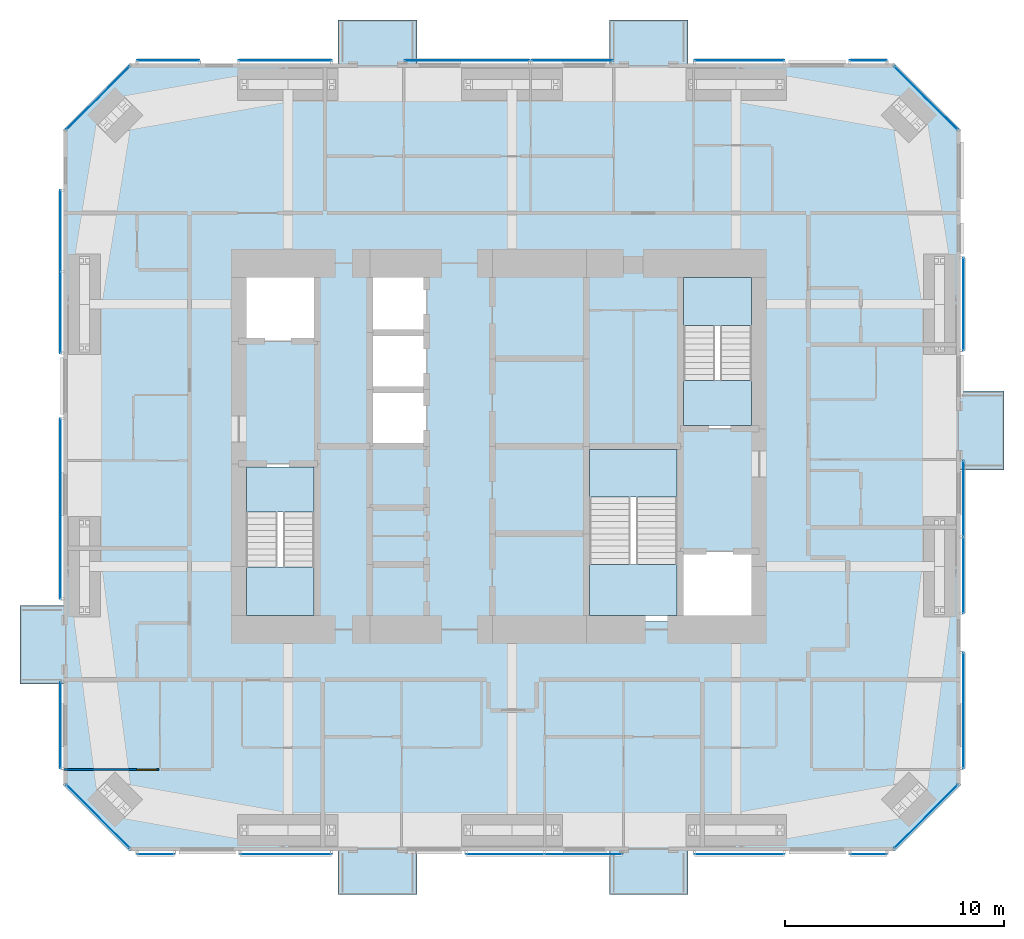
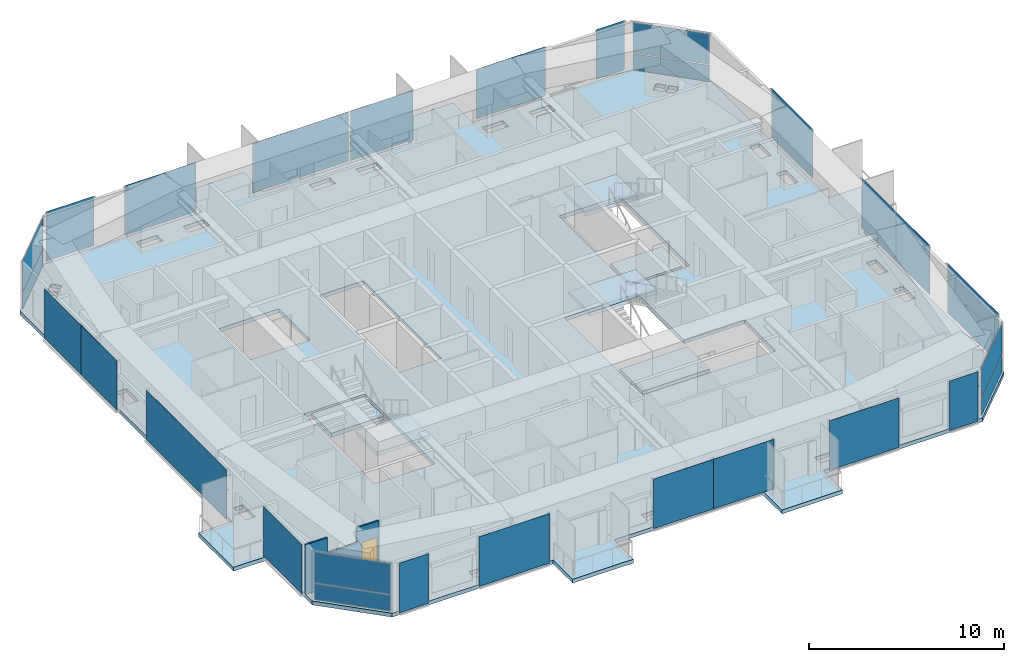
# One storey, part 14 of 22: 28 plates, 7 slabs, 1 door, 1 wall, 1 opening, 24 elements without a shape of their own.
"""IFC4 building model written with IfcOpenShell, lengths in metres."""

from ifc_helpers import new_model, si_unit, direction, frame, frame_2d, origin, origin_2d, place, context, subcontext, project, spatial, polyline, rectangle, outline, extrude, material, layer, layer_set, constituent, constituent_set, type_object, element, fill, aggregate, save


model = new_model("IFC4")

# Units and contexts
model_context = context("Model", 3, precision=1e-05, world=origin(), true_north=direction((0.0, 1.0)))
body_context = subcontext(model_context, "Body", "Model", "MODEL_VIEW")
ifc_project = project(units=[si_unit("LENGTHUNIT", "METRE"), si_unit("AREAUNIT", "SQUARE_METRE"), si_unit("VOLUMEUNIT", "CUBIC_METRE"), si_unit("PLANEANGLEUNIT", "RADIAN"), si_unit("MASSUNIT", "GRAM", prefix="KILO")], contexts=[model_context])

# Site, building, storey
site_placement = place(None, origin())
site = spatial("IfcSite", under=ifc_project, at=site_placement, CompositionType="ELEMENT")
building_placement = place(site_placement, origin())
building = spatial("IfcBuilding", under=site, at=building_placement, Name="Jalousie Tower", CompositionType="ELEMENT")
storey_placement = place(building_placement, frame((0.0, 0.0, 177.800048828125)))
storey = spatial("IfcBuildingStorey", under=building, at=storey_placement, Name="L48", CompositionType="ELEMENT", Elevation=177.800048828125)

# Curtain wall, plates
ifc_material_1 = material(Name="Aluminium curtain wall", Category="aluminium")
curtain_wall_type_1 = type_object("IfcCurtainWallType", Name="CORNER WINDOW WALL", PredefinedType="USERDEFINED", material=ifc_material_1)
curtain_wall_1_placement = place(storey_placement, origin())
curtain_wall_1 = element("IfcCurtainWall", 1, at=curtain_wall_1_placement, inside=storey, type_object=curtain_wall_type_1, Name="Corner Window Wall L48 2", ObjectType="CORNER WINDOW WALL", PredefinedType="USERDEFINED")
ifc_material_2 = material(Name="Laminated impact-rated spandrel glass", Category="glass")
ifc_layer_1 = layer(ifc_material_2, 0.028076171875)
ifc_layer_set_1 = layer_set([ifc_layer_1], Name="Laminated impact-rated spandrel glass")
plate_type_1 = type_object("IfcPlateType", Name="CORNER WINDOW WALL PANEL", PredefinedType="CURTAIN_PANEL", material=ifc_layer_set_1)
plate_1_placement = place(storey_placement, frame((51.4306640625, 1.5693359375, 0.06005859375), z_axis=(0.0, 0.0, 1.0), x_axis=(0.707106781187, 0.707106781187, 0.0)))
plate_1 = element("IfcPlate", 2, at=plate_1_placement, type_object=plate_type_1, Name="CW-C panel 1.1", PredefinedType="CURTAIN_PANEL", context=body_context, shape_type="SweptSolid", body=[
    extrude(rectangle(XDim=4.071533203125, YDim=0.028076171875, at=origin_2d()), origin(), (0.0, 0.0, 1.0), 1.010009765625),
])
plate_2_placement = place(storey_placement, frame((51.4306640625, 1.5693359375, 1.1298828125), z_axis=(0.0, 0.0, 1.0), x_axis=(0.707106781187, 0.707106781187, 0.0)))
plate_2 = element("IfcPlate", 3, at=plate_2_placement, type_object=plate_type_1, Name="CW-C panel 1.2", PredefinedType="CURTAIN_PANEL", context=body_context, shape_type="SweptSolid", body=[
    extrude(rectangle(XDim=4.071533203125, YDim=0.028076171875, at=origin_2d()), origin(), (0.0, 0.0, 1.0), 1.919921875),
])
aggregate(curtain_wall_1, [plate_1, plate_2])

curtain_wall_2_placement = place(storey_placement, origin())
curtain_wall_2 = element("IfcCurtainWall", 4, at=curtain_wall_2_placement, inside=storey, type_object=curtain_wall_type_1, Name="Corner Window Wall L48 4", ObjectType="CORNER WINDOW WALL", PredefinedType="USERDEFINED")
plate_3_placement = place(storey_placement, frame((51.4306640625, 34.4306640625, 0.06005859375), z_axis=(0.0, 0.0, 1.0), x_axis=(-0.707106781187, 0.707106781187, 0.0)))
plate_3 = element("IfcPlate", 5, at=plate_3_placement, type_object=plate_type_1, Name="CW-C panel 1.1", PredefinedType="CURTAIN_PANEL", context=body_context, shape_type="SweptSolid", body=[
    extrude(rectangle(XDim=4.071533203125, YDim=0.028076171875, at=origin_2d()), origin(), (0.0, 0.0, 1.0), 1.010009765625),
])
plate_4_placement = place(storey_placement, frame((51.4306640625, 34.4306640625, 1.1298828125), z_axis=(0.0, 0.0, 1.0), x_axis=(-0.707106781187, 0.707106781187, 0.0)))
plate_4 = element("IfcPlate", 6, at=plate_4_placement, type_object=plate_type_1, Name="CW-C panel 1.2", PredefinedType="CURTAIN_PANEL", context=body_context, shape_type="SweptSolid", body=[
    extrude(rectangle(XDim=4.071533203125, YDim=0.028076171875, at=origin_2d()), origin(), (0.0, 0.0, 1.0), 1.919921875),
])
aggregate(curtain_wall_2, [plate_3, plate_4])

curtain_wall_3_placement = place(storey_placement, origin())
curtain_wall_3 = element("IfcCurtainWall", 7, at=curtain_wall_3_placement, inside=storey, type_object=curtain_wall_type_1, Name="Corner Window Wall L48 6", ObjectType="CORNER WINDOW WALL", PredefinedType="USERDEFINED")
plate_5_placement = place(storey_placement, frame((13.5693359375, 34.4306640625, 0.06005859375), z_axis=(0.0, 0.0, 1.0), x_axis=(-0.707106781187, -0.707106781187, 0.0)))
plate_5 = element("IfcPlate", 8, at=plate_5_placement, type_object=plate_type_1, Name="CW-C panel 1.1", PredefinedType="CURTAIN_PANEL", context=body_context, shape_type="SweptSolid", body=[
    extrude(rectangle(XDim=4.071533203125, YDim=0.028076171875, at=origin_2d()), origin(), (0.0, 0.0, 1.0), 1.010009765625),
])
plate_6_placement = place(storey_placement, frame((13.5693359375, 34.4306640625, 1.1298828125), z_axis=(0.0, 0.0, 1.0), x_axis=(-0.707106781187, -0.707106781187, 0.0)))
plate_6 = element("IfcPlate", 9, at=plate_6_placement, type_object=plate_type_1, Name="CW-C panel 1.2", PredefinedType="CURTAIN_PANEL", context=body_context, shape_type="SweptSolid", body=[
    extrude(rectangle(XDim=4.071533203125, YDim=0.028076171875, at=origin_2d()), origin(), (0.0, 0.0, 1.0), 1.919921875),
])
aggregate(curtain_wall_3, [plate_5, plate_6])

curtain_wall_4_placement = place(storey_placement, origin())
curtain_wall_4 = element("IfcCurtainWall", 10, at=curtain_wall_4_placement, inside=storey, type_object=curtain_wall_type_1, Name="Corner Window Wall L48 8", ObjectType="CORNER WINDOW WALL", PredefinedType="USERDEFINED")
plate_7_placement = place(storey_placement, frame((13.5693359375, 1.5693359375, 0.06005859375), z_axis=(0.0, 0.0, 1.0), x_axis=(0.707106781187, -0.707106781187, 0.0)))
plate_7 = element("IfcPlate", 11, at=plate_7_placement, type_object=plate_type_1, Name="CW-C panel 1.1", PredefinedType="CURTAIN_PANEL", context=body_context, shape_type="SweptSolid", body=[
    extrude(rectangle(XDim=4.071533203125, YDim=0.028076171875, at=origin_2d()), origin(), (0.0, 0.0, 1.0), 1.010009765625),
])
plate_8_placement = place(storey_placement, frame((13.5693359375, 1.5693359375, 1.1298828125), z_axis=(0.0, 0.0, 1.0), x_axis=(0.707106781187, -0.707106781187, 0.0)))
plate_8 = element("IfcPlate", 12, at=plate_8_placement, type_object=plate_type_1, Name="CW-C panel 1.2", PredefinedType="CURTAIN_PANEL", context=body_context, shape_type="SweptSolid", body=[
    extrude(rectangle(XDim=4.071533203125, YDim=0.028076171875, at=origin_2d()), origin(), (0.0, 0.0, 1.0), 1.919921875),
])
aggregate(curtain_wall_4, [plate_7, plate_8])

# Slab
ifc_material_3 = material(Name="Concrete f'c 40 MPa", Category="concrete")
ifc_layer_2 = layer(ifc_material_3, 0.239990234375)
ifc_layer_set_2 = layer_set([ifc_layer_2], Name="Concrete f'c 40 MPa")
slab_type_1 = type_object("IfcSlabType", Name="FLOOR SLAB 240", PredefinedType="FLOOR", material=ifc_layer_set_2)
slab_1_placement = place(storey_placement, frame((0.0, 0.0, -0.239990234375)))
element("IfcSlab", 13, at=slab_1_placement, inside=storey, type_object=slab_type_1, Name="L48 floor slab", PredefinedType="FLOOR", context=body_context, shape_type="SweptSolid", body=[
    extrude(outline(polyline([(40.550048828125, 38.0), (40.550048828125, 36.0), (50.0, 36.0), (53.0, 33.0), (53.0, 21.02490234375), (55.0, 21.02490234375), (55.0, 17.425048828125), (53.0, 17.425048828125), (53.0, 3.0), (50.0, 0.0), (40.550048828125, 0.0), (40.550048828125, -2.0), (36.949951171875, -2.0), (36.949951171875, 0.0), (28.14990234375, 0.0), (28.14990234375, -2.0), (24.550048828125, -2.0), (24.550048828125, 0.0), (15.0, 0.0), (12.0, 3.0), (12.0, 7.625), (10.0, 7.625), (10.0, 11.22509765625), (12.0, 11.22509765625), (12.0, 33.0), (15.0, 36.0), (24.550048828125, 36.0), (24.550048828125, 38.0), (28.14990234375, 38.0), (28.14990234375, 36.0), (36.949951171875, 36.0), (36.949951171875, 38.0), (40.550048828125, 38.0)]), holes=[polyline([(51.763916015625, 27.0), (51.763916015625, 25.77294921875), (52.336181640625, 25.77294921875), (52.336181640625, 27.0), (51.763916015625, 27.0)]), polyline([(52.336181640625, 24.22705078125), (51.763916015625, 24.22705078125), (51.763916015625, 23.0), (52.336181640625, 23.0), (52.336181640625, 24.22705078125)]), polyline([(52.336181640625, 15.0), (51.763916015625, 15.0), (51.763916015625, 13.77294921875), (52.336181640625, 13.77294921875), (52.336181640625, 15.0)]), polyline([(52.336181640625, 12.22705078125), (51.763916015625, 12.22705078125), (51.763916015625, 11.0), (52.336181640625, 11.0), (52.336181640625, 12.22705078125)]), polyline([(50.873291015625, 33.02490234375), (51.278076171875, 33.4296875), (50.89599609375, 33.811767578125), (50.4912109375, 33.406982421875), (50.873291015625, 33.02490234375)]), polyline([(50.89599609375, 2.188232421875), (51.278076171875, 2.5703125), (50.873291015625, 2.97509765625), (50.4912109375, 2.593017578125), (50.89599609375, 2.188232421875)]), polyline([(50.02490234375, 2.126708984375), (50.4296875, 1.721923828125), (50.811767578125, 2.10400390625), (50.406982421875, 2.5087890625), (50.02490234375, 2.126708984375)]), polyline([(50.4296875, 34.278076171875), (50.02490234375, 33.873291015625), (50.406982421875, 33.4912109375), (50.811767578125, 33.89599609375), (50.4296875, 34.278076171875)]), polyline([(43.52294921875, 34.763916015625), (44.75, 34.763916015625), (44.75, 35.336181640625), (43.52294921875, 35.336181640625), (43.52294921875, 34.763916015625)]), polyline([(43.52294921875, 0.663818359375), (44.75, 0.663818359375), (44.75, 1.236083984375), (43.52294921875, 1.236083984375), (43.52294921875, 0.663818359375)]), polyline([(43.800048828125, 26.5), (40.199951171875, 26.5), (40.199951171875, 19.300048828125), (43.800048828125, 19.300048828125), (43.800048828125, 26.5)]), polyline([(43.800048828125, 10.5), (43.800048828125, 13.699951171875), (40.199951171875, 13.699951171875), (40.199951171875, 18.5), (35.89990234375, 18.5), (35.89990234375, 10.5), (43.800048828125, 10.5)]), polyline([(40.75, 35.336181640625), (40.75, 34.763916015625), (41.97705078125, 34.763916015625), (41.97705078125, 35.336181640625), (40.75, 35.336181640625)]), polyline([(41.97705078125, 1.236083984375), (40.75, 1.236083984375), (40.75, 0.663818359375), (41.97705078125, 0.663818359375), (41.97705078125, 1.236083984375)]), polyline([(34.5, 0.663818359375), (34.5, 1.236083984375), (33.27294921875, 1.236083984375), (33.27294921875, 0.663818359375), (34.5, 0.663818359375)]), polyline([(34.5, 34.763916015625), (34.5, 35.336181640625), (33.27294921875, 35.336181640625), (33.27294921875, 34.763916015625), (34.5, 34.763916015625)]), polyline([(30.5, 35.336181640625), (30.5, 34.763916015625), (31.72705078125, 34.763916015625), (31.72705078125, 35.336181640625), (30.5, 35.336181640625)]), polyline([(30.5, 1.236083984375), (30.5, 0.663818359375), (31.72705078125, 0.663818359375), (31.72705078125, 1.236083984375), (30.5, 1.236083984375)]), polyline([(26.0, 26.5), (26.0, 18.5), (28.60009765625, 18.5), (28.60009765625, 26.5), (26.0, 26.5)]), polyline([(23.02294921875, 35.336181640625), (23.02294921875, 34.763916015625), (24.25, 34.763916015625), (24.25, 35.336181640625), (23.02294921875, 35.336181640625)]), polyline([(24.25, 0.663818359375), (24.25, 1.236083984375), (23.02294921875, 1.236083984375), (23.02294921875, 0.663818359375), (24.25, 0.663818359375)]), polyline([(23.60009765625, 26.5), (20.0, 26.5), (20.0, 23.300048828125), (23.60009765625, 23.300048828125), (23.60009765625, 26.5)]), polyline([(23.60009765625, 17.699951171875), (20.0, 17.699951171875), (20.0, 10.5), (23.60009765625, 10.5), (23.60009765625, 17.699951171875)]), polyline([(21.47705078125, 34.763916015625), (21.47705078125, 35.336181640625), (20.25, 35.336181640625), (20.25, 34.763916015625), (21.47705078125, 34.763916015625)]), polyline([(21.47705078125, 0.663818359375), (21.47705078125, 1.236083984375), (20.25, 1.236083984375), (20.25, 0.663818359375), (21.47705078125, 0.663818359375)]), polyline([(14.593017578125, 2.5087890625), (14.188232421875, 2.10400390625), (14.5703125, 1.721923828125), (14.97509765625, 2.126708984375), (14.593017578125, 2.5087890625)]), polyline([(14.97509765625, 33.873291015625), (14.5703125, 34.278076171875), (14.188232421875, 33.89599609375), (14.593017578125, 33.4912109375), (14.97509765625, 33.873291015625)]), polyline([(13.721923828125, 2.5703125), (14.10400390625, 2.188232421875), (14.5087890625, 2.593017578125), (14.126708984375, 2.97509765625), (13.721923828125, 2.5703125)]), polyline([(14.126708984375, 33.02490234375), (14.5087890625, 33.406982421875), (14.10400390625, 33.811767578125), (13.721923828125, 33.4296875), (14.126708984375, 33.02490234375)]), polyline([(12.663818359375, 23.0), (13.236083984375, 23.0), (13.236083984375, 24.22705078125), (12.663818359375, 24.22705078125), (12.663818359375, 23.0)]), polyline([(13.236083984375, 27.0), (12.663818359375, 27.0), (12.663818359375, 25.77294921875), (13.236083984375, 25.77294921875), (13.236083984375, 27.0)]), polyline([(12.663818359375, 15.0), (12.663818359375, 13.77294921875), (13.236083984375, 13.77294921875), (13.236083984375, 15.0), (12.663818359375, 15.0)]), polyline([(13.236083984375, 12.22705078125), (12.663818359375, 12.22705078125), (12.663818359375, 11.0), (13.236083984375, 11.0), (13.236083984375, 12.22705078125)])]), origin(), (0.0, 0.0, 1.0), 0.239990234375),
])

# Curtain wall, plate
ifc_material_4 = material(Name="Perforated aluminium sheet", Category="aluminium")
curtain_wall_type_2 = type_object("IfcCurtainWallType", Name="SOLAR SCREEN SS-1", PredefinedType="USERDEFINED", material=ifc_material_4)
curtain_wall_5_placement = place(storey_placement, origin())
curtain_wall_5 = element("IfcCurtainWall", 14, at=curtain_wall_5_placement, inside=storey, type_object=curtain_wall_type_2, Name="Solar screen L48", ObjectType="SOLAR SCREEN SS-1", PredefinedType="USERDEFINED")
ifc_material_5 = material(Name="Perforated aluminium sheet", Category="aluminium")
ifc_layer_3 = layer(ifc_material_5, 0.006103515625)
ifc_layer_set_3 = layer_set([ifc_layer_3], Name="Perforated aluminium sheet")
plate_type_2 = type_object("IfcPlateType", Name="SOLAR SCREEN SS-1 PANEL", PredefinedType="CURTAIN_PANEL", material=ifc_layer_set_3)
plate_9_placement = place(storey_placement, frame((16.2060546875, -0.150390625, 0.0), z_axis=(0.0, 0.0, 1.0), x_axis=(1.0, 0.0, 0.0)))
plate_9 = element("IfcPlate", 15, at=plate_9_placement, type_object=plate_type_2, Name="SS1 perforated panel 1", PredefinedType="CURTAIN_PANEL", context=body_context, shape_type="SweptSolid", body=[
    extrude(rectangle(XDim=1.709716796875, YDim=0.006103515625, at=origin_2d()), origin(), (0.0, 0.0, 1.0), 3.110107421875),
])
aggregate(curtain_wall_5, [plate_9])

curtain_wall_6_placement = place(storey_placement, origin())
curtain_wall_6 = element("IfcCurtainWall", 16, at=curtain_wall_6_placement, inside=storey, type_object=curtain_wall_type_2, Name="Solar screen L48", ObjectType="SOLAR SCREEN SS-1", PredefinedType="USERDEFINED")
plate_10_placement = place(storey_placement, frame((22.155517578125, -0.150390625, 0.0), z_axis=(0.0, 0.0, 1.0), x_axis=(1.0, 0.0, 0.0)))
plate_10 = element("IfcPlate", 17, at=plate_10_placement, type_object=plate_type_2, Name="SS1 perforated panel 1", PredefinedType="CURTAIN_PANEL", context=body_context, shape_type="SweptSolid", body=[
    extrude(rectangle(XDim=4.189208984375, YDim=0.006103515625, at=origin_2d()), origin(), (0.0, 0.0, 1.0), 3.110107421875),
])
aggregate(curtain_wall_6, [plate_10])

# Curtain wall, plates
curtain_wall_7_placement = place(storey_placement, origin())
curtain_wall_7 = element("IfcCurtainWall", 18, at=curtain_wall_7_placement, inside=storey, type_object=curtain_wall_type_2, Name="Solar screen L48", ObjectType="SOLAR SCREEN SS-1", PredefinedType="USERDEFINED")
plate_11_placement = place(storey_placement, frame((32.1875, -0.150390625, 0.0), z_axis=(0.0, 0.0, 1.0), x_axis=(1.0, 0.0, 0.0)))
plate_11 = element("IfcPlate", 19, at=plate_11_placement, type_object=plate_type_2, Name="SS1 perforated panel 1", PredefinedType="CURTAIN_PANEL", context=body_context, shape_type="SweptSolid", body=[
    extrude(rectangle(XDim=3.574951171875, YDim=0.006103515625, at=origin_2d()), origin(), (0.0, 0.0, 1.0), 3.110107421875),
])
plate_12_placement = place(storey_placement, frame((35.762451171875, -0.150390625, 0.0), z_axis=(0.0, 0.0, 1.0), x_axis=(1.0, 0.0, 0.0)))
plate_12 = element("IfcPlate", 20, at=plate_12_placement, type_object=plate_type_2, Name="SS1 perforated panel 2", PredefinedType="CURTAIN_PANEL", context=body_context, shape_type="SweptSolid", body=[
    extrude(rectangle(XDim=3.574951171875, YDim=0.006103515625, at=origin_2d()), origin(), (0.0, 0.0, 1.0), 3.110107421875),
])
aggregate(curtain_wall_7, [plate_11, plate_12])

# Curtain wall, plate
curtain_wall_8_placement = place(storey_placement, origin())
curtain_wall_8 = element("IfcCurtainWall", 21, at=curtain_wall_8_placement, inside=storey, type_object=curtain_wall_type_2, Name="Solar screen L48", ObjectType="SOLAR SCREEN SS-1", PredefinedType="USERDEFINED")
plate_13_placement = place(storey_placement, frame((42.9033203125, -0.150390625, 0.0), z_axis=(0.0, 0.0, 1.0), x_axis=(1.0, 0.0, 0.0)))
plate_13 = element("IfcPlate", 22, at=plate_13_placement, type_object=plate_type_2, Name="SS1 perforated panel 1", PredefinedType="CURTAIN_PANEL", context=body_context, shape_type="SweptSolid", body=[
    extrude(rectangle(XDim=4.106689453125, YDim=0.006103515625, at=origin_2d()), origin(), (0.0, 0.0, 1.0), 3.110107421875),
])
aggregate(curtain_wall_8, [plate_13])

curtain_wall_9_placement = place(storey_placement, origin())
curtain_wall_9 = element("IfcCurtainWall", 23, at=curtain_wall_9_placement, inside=storey, type_object=curtain_wall_type_2, Name="Solar screen L48", ObjectType="SOLAR SCREEN SS-1", PredefinedType="USERDEFINED")
plate_14_placement = place(storey_placement, frame((48.802734375, -0.150390625, 0.0), z_axis=(0.0, 0.0, 1.0), x_axis=(1.0, 0.0, 0.0)))
plate_14 = element("IfcPlate", 24, at=plate_14_placement, type_object=plate_type_2, Name="SS1 perforated panel 1", PredefinedType="CURTAIN_PANEL", context=body_context, shape_type="SweptSolid", body=[
    extrude(rectangle(XDim=1.69189453125, YDim=0.006103515625, at=origin_2d()), origin(), (0.0, 0.0, 1.0), 3.110107421875),
])
aggregate(curtain_wall_9, [plate_14])

curtain_wall_10_placement = place(storey_placement, origin())
curtain_wall_10 = element("IfcCurtainWall", 25, at=curtain_wall_10_placement, inside=storey, type_object=curtain_wall_type_2, Name="Solar screen L48", ObjectType="SOLAR SCREEN SS-1", PredefinedType="USERDEFINED")
plate_15_placement = place(storey_placement, frame((53.150390625, 6.421630859375, 0.0), z_axis=(0.0, 0.0, 1.0), x_axis=(0.0, 1.0, 0.0)))
plate_15 = element("IfcPlate", 26, at=plate_15_placement, type_object=plate_type_2, Name="SS1 perforated panel 1", PredefinedType="CURTAIN_PANEL", context=body_context, shape_type="SweptSolid", body=[
    extrude(rectangle(XDim=5.300537109375, YDim=0.006103515625, at=origin_2d()), origin(), (0.0, 0.0, 1.0), 3.110107421875),
])
aggregate(curtain_wall_10, [plate_15])

# Curtain wall, plates
curtain_wall_11_placement = place(storey_placement, origin())
curtain_wall_11 = element("IfcCurtainWall", 27, at=curtain_wall_11_placement, inside=storey, type_object=curtain_wall_type_2, Name="Solar screen L48", ObjectType="SOLAR SCREEN SS-1", PredefinedType="USERDEFINED")
plate_16_placement = place(storey_placement, frame((53.150390625, 12.616455078125, 0.0), z_axis=(0.0, 0.0, 1.0), x_axis=(0.0, 1.0, 0.0)))
plate_16 = element("IfcPlate", 28, at=plate_16_placement, type_object=plate_type_2, Name="SS1 perforated panel 1", PredefinedType="CURTAIN_PANEL", context=body_context, shape_type="SweptSolid", body=[
    extrude(rectangle(XDim=3.489013671875, YDim=0.006103515625, at=origin_2d()), origin(), (0.0, 0.0, 1.0), 3.110107421875),
])
plate_17_placement = place(storey_placement, frame((53.150390625, 16.10546875, 0.0), z_axis=(0.0, 0.0, 1.0), x_axis=(0.0, 1.0, 0.0)))
plate_17 = element("IfcPlate", 29, at=plate_17_placement, type_object=plate_type_2, Name="SS1 perforated panel 2", PredefinedType="CURTAIN_PANEL", context=body_context, shape_type="SweptSolid", body=[
    extrude(rectangle(XDim=3.489013671875, YDim=0.006103515625, at=origin_2d()), origin(), (0.0, 0.0, 1.0), 3.110107421875),
])
aggregate(curtain_wall_11, [plate_16, plate_17])

# Curtain wall, plate
curtain_wall_12_placement = place(storey_placement, origin())
curtain_wall_12 = element("IfcCurtainWall", 30, at=curtain_wall_12_placement, inside=storey, type_object=curtain_wall_type_2, Name="Solar screen L48", ObjectType="SOLAR SCREEN SS-1", PredefinedType="USERDEFINED")
plate_18_placement = place(storey_placement, frame((53.150390625, 25.005859375, 0.0), z_axis=(0.0, 0.0, 1.0), x_axis=(0.0, 1.0, 0.0)))
plate_18 = element("IfcPlate", 31, at=plate_18_placement, type_object=plate_type_2, Name="SS1 perforated panel 1", PredefinedType="CURTAIN_PANEL", context=body_context, shape_type="SweptSolid", body=[
    extrude(rectangle(XDim=4.23681640625, YDim=0.006103515625, at=origin_2d()), origin(), (0.0, 0.0, 1.0), 3.110107421875),
])
aggregate(curtain_wall_12, [plate_18])

curtain_wall_13_placement = place(storey_placement, origin())
curtain_wall_13 = element("IfcCurtainWall", 32, at=curtain_wall_13_placement, inside=storey, type_object=curtain_wall_type_2, Name="Solar screen L48", ObjectType="SOLAR SCREEN SS-1", PredefinedType="USERDEFINED")
plate_19_placement = place(storey_placement, frame((48.798828125, 36.150390625, 0.0), z_axis=(0.0, 0.0, 1.0), x_axis=(-1.0, 0.0, 0.0)))
plate_19 = element("IfcPlate", 33, at=plate_19_placement, type_object=plate_type_2, Name="SS1 perforated panel 1", PredefinedType="CURTAIN_PANEL", context=body_context, shape_type="SweptSolid", body=[
    extrude(rectangle(XDim=1.69970703125, YDim=0.006103515625, at=origin_2d()), origin(), (0.0, 0.0, 1.0), 3.110107421875),
])
aggregate(curtain_wall_13, [plate_19])

curtain_wall_14_placement = place(storey_placement, origin())
curtain_wall_14 = element("IfcCurtainWall", 34, at=curtain_wall_14_placement, inside=storey, type_object=curtain_wall_type_2, Name="Solar screen L48", ObjectType="SOLAR SCREEN SS-1", PredefinedType="USERDEFINED")
plate_20_placement = place(storey_placement, frame((42.899658203125, 36.150390625, 0.0), z_axis=(0.0, 0.0, 1.0), x_axis=(-1.0, 0.0, 0.0)))
plate_20 = element("IfcPlate", 35, at=plate_20_placement, type_object=plate_type_2, Name="SS1 perforated panel 1", PredefinedType="CURTAIN_PANEL", context=body_context, shape_type="SweptSolid", body=[
    extrude(rectangle(XDim=4.09912109375, YDim=0.006103515625, at=origin_2d()), origin(), (0.0, 0.0, 1.0), 3.110107421875),
])
aggregate(curtain_wall_14, [plate_20])

curtain_wall_15_placement = place(storey_placement, origin())
curtain_wall_15 = element("IfcCurtainWall", 36, at=curtain_wall_15_placement, inside=storey, type_object=curtain_wall_type_2, Name="Solar screen L48", ObjectType="SOLAR SCREEN SS-1", PredefinedType="USERDEFINED")
plate_21_placement = place(storey_placement, frame((35.25, 36.150390625, 0.0), z_axis=(0.0, 0.0, 1.0), x_axis=(-1.0, 0.0, 0.0)))
plate_21 = element("IfcPlate", 37, at=plate_21_placement, type_object=plate_type_2, Name="SS1 perforated panel 1", PredefinedType="CURTAIN_PANEL", context=body_context, shape_type="SweptSolid", body=[
    extrude(rectangle(XDim=3.699951171875, YDim=0.006103515625, at=origin_2d()), origin(), (0.0, 0.0, 1.0), 3.110107421875),
])
aggregate(curtain_wall_15, [plate_21])

curtain_wall_16_placement = place(storey_placement, origin())
curtain_wall_16 = element("IfcCurtainWall", 38, at=curtain_wall_16_placement, inside=storey, type_object=curtain_wall_type_2, Name="Solar screen L48", ObjectType="SOLAR SCREEN SS-1", PredefinedType="USERDEFINED")
plate_22_placement = place(storey_placement, frame((30.449951171875, 36.150390625, 0.0), z_axis=(0.0, 0.0, 1.0), x_axis=(-1.0, 0.0, 0.0)))
plate_22 = element("IfcPlate", 39, at=plate_22_placement, type_object=plate_type_2, Name="SS1 perforated panel 1", PredefinedType="CURTAIN_PANEL", context=body_context, shape_type="SweptSolid", body=[
    extrude(rectangle(XDim=5.699951171875, YDim=0.006103515625, at=origin_2d()), origin(), (0.0, 0.0, 1.0), 3.110107421875),
])
aggregate(curtain_wall_16, [plate_22])

curtain_wall_17_placement = place(storey_placement, origin())
curtain_wall_17 = element("IfcCurtainWall", 40, at=curtain_wall_17_placement, inside=storey, type_object=curtain_wall_type_2, Name="Solar screen L48", ObjectType="SOLAR SCREEN SS-1", PredefinedType="USERDEFINED")
plate_23_placement = place(storey_placement, frame((22.127685546875, 36.150390625, 0.0), z_axis=(0.0, 0.0, 1.0), x_axis=(-1.0, 0.0, 0.0)))
plate_23 = element("IfcPlate", 41, at=plate_23_placement, type_object=plate_type_2, Name="SS1 perforated panel 1", PredefinedType="CURTAIN_PANEL", context=body_context, shape_type="SweptSolid", body=[
    extrude(rectangle(XDim=4.244384765625, YDim=0.006103515625, at=origin_2d()), origin(), (0.0, 0.0, 1.0), 3.110107421875),
])
aggregate(curtain_wall_17, [plate_23])

curtain_wall_18_placement = place(storey_placement, origin())
curtain_wall_18 = element("IfcCurtainWall", 42, at=curtain_wall_18_placement, inside=storey, type_object=curtain_wall_type_2, Name="Solar screen L48", ObjectType="SOLAR SCREEN SS-1", PredefinedType="USERDEFINED")
plate_24_placement = place(storey_placement, frame((16.7783203125, 36.150390625, 0.0), z_axis=(0.0, 0.0, 1.0), x_axis=(-1.0, 0.0, 0.0)))
plate_24 = element("IfcPlate", 43, at=plate_24_placement, type_object=plate_type_2, Name="SS1 perforated panel 1", PredefinedType="CURTAIN_PANEL", context=body_context, shape_type="SweptSolid", body=[
    extrude(rectangle(XDim=2.854248046875, YDim=0.006103515625, at=origin_2d()), origin(), (0.0, 0.0, 1.0), 3.110107421875),
])
aggregate(curtain_wall_18, [plate_24])

# Curtain wall, plates
curtain_wall_19_placement = place(storey_placement, origin())
curtain_wall_19 = element("IfcCurtainWall", 44, at=curtain_wall_19_placement, inside=storey, type_object=curtain_wall_type_2, Name="Solar screen L48", ObjectType="SOLAR SCREEN SS-1", PredefinedType="USERDEFINED")
plate_25_placement = place(storey_placement, frame((11.849609375, 28.3505859375, 0.0), z_axis=(0.0, 0.0, 1.0), x_axis=(0.0, -1.0, 0.0)))
plate_25 = element("IfcPlate", 45, at=plate_25_placement, type_object=plate_type_2, Name="SS1 perforated panel 1", PredefinedType="CURTAIN_PANEL", context=body_context, shape_type="SweptSolid", body=[
    extrude(rectangle(XDim=3.722412109375, YDim=0.006103515625, at=origin_2d()), origin(), (0.0, 0.0, 1.0), 3.110107421875),
])
plate_26_placement = place(storey_placement, frame((11.849609375, 24.628173828125, 0.0), z_axis=(0.0, 0.0, 1.0), x_axis=(0.0, -1.0, 0.0)))
plate_26 = element("IfcPlate", 46, at=plate_26_placement, type_object=plate_type_2, Name="SS1 perforated panel 2", PredefinedType="CURTAIN_PANEL", context=body_context, shape_type="SweptSolid", body=[
    extrude(rectangle(XDim=3.722412109375, YDim=0.006103515625, at=origin_2d()), origin(), (0.0, 0.0, 1.0), 3.110107421875),
])
aggregate(curtain_wall_19, [plate_25, plate_26])

# Curtain wall, plate
curtain_wall_20_placement = place(storey_placement, origin())
curtain_wall_20 = element("IfcCurtainWall", 47, at=curtain_wall_20_placement, inside=storey, type_object=curtain_wall_type_2, Name="Solar screen L48", ObjectType="SOLAR SCREEN SS-1", PredefinedType="USERDEFINED")
plate_27_placement = place(storey_placement, frame((11.849609375, 15.64599609375, 0.0), z_axis=(0.0, 0.0, 1.0), x_axis=(0.0, -1.0, 0.0)))
plate_27 = element("IfcPlate", 48, at=plate_27_placement, type_object=plate_type_2, Name="SS1 perforated panel 1", PredefinedType="CURTAIN_PANEL", context=body_context, shape_type="SweptSolid", body=[
    extrude(rectangle(XDim=8.24169921875, YDim=0.006103515625, at=origin_2d()), origin(), (0.0, 0.0, 1.0), 3.110107421875),
])
aggregate(curtain_wall_20, [plate_27])

curtain_wall_21_placement = place(storey_placement, origin())
curtain_wall_21 = element("IfcCurtainWall", 49, at=curtain_wall_21_placement, inside=storey, type_object=curtain_wall_type_2, Name="Solar screen L48", ObjectType="SOLAR SCREEN SS-1", PredefinedType="USERDEFINED")
plate_28_placement = place(storey_placement, frame((11.849609375, 5.748046875, 0.0), z_axis=(0.0, 0.0, 1.0), x_axis=(0.0, -1.0, 0.0)))
plate_28 = element("IfcPlate", 50, at=plate_28_placement, type_object=plate_type_2, Name="SS1 perforated panel 1", PredefinedType="CURTAIN_PANEL", context=body_context, shape_type="SweptSolid", body=[
    extrude(rectangle(XDim=3.95361328125, YDim=0.006103515625, at=origin_2d()), origin(), (0.0, 0.0, 1.0), 3.110107421875),
])
aggregate(curtain_wall_21, [plate_28])

# Stair, slabs
ifc_material_6 = material(Name="Concrete f'c 40 MPa", Category="concrete")
stair_type = type_object("IfcStairType", Name="EXIT STAIR", PredefinedType="HALF_TURN_STAIR", material=ifc_material_6)
stair_1_placement = place(storey_placement, origin())
stair_1 = element("IfcStair", 51, at=stair_1_placement, inside=storey, type_object=stair_type, Name="Exit stair A L48", PredefinedType="HALF_TURN_STAIR")
ifc_material_7 = material(Name="Concrete f'c 40 MPa", Category="concrete")
ifc_layer_4 = layer(ifc_material_7, 0.25)
ifc_layer_set_4 = layer_set([ifc_layer_4], Name="Concrete f'c 40 MPa")
slab_type_2 = type_object("IfcSlabType", Name="STAIR LANDING 250", PredefinedType="LANDING", material=ifc_layer_set_4)
slab_2_placement = place(storey_placement, frame((0.0, 0.0, -0.25)))
slab_2 = element("IfcSlab", 52, at=slab_2_placement, type_object=slab_type_2, Name="ST-A landing 1", PredefinedType="LANDING", context=body_context, shape_type="SweptSolid", body=[
    extrude(outline(polyline([(20.35009765625, 15.49755859375), (23.449951171875, 15.49755859375), (23.449951171875, 17.550048828125), (20.35009765625, 17.550048828125), (20.35009765625, 15.49755859375)])), origin(), (0.0, 0.0, 1.0), 0.25),
])
slab_3_placement = place(storey_placement, frame((0.0, 0.0, 1.425048828125)))
slab_3 = element("IfcSlab", 53, at=slab_3_placement, type_object=slab_type_2, Name="ST-A landing 2", PredefinedType="LANDING", context=body_context, shape_type="SweptSolid", body=[
    extrude(outline(polyline([(20.35009765625, 10.77490234375), (23.449951171875, 10.77490234375), (23.449951171875, 12.9775390625), (20.35009765625, 12.9775390625), (20.35009765625, 10.77490234375)])), origin(), (0.0, 0.0, 1.0), 0.25),
])
aggregate(stair_1, [slab_2, slab_3])

stair_2_placement = place(storey_placement, origin())
stair_2 = element("IfcStair", 54, at=stair_2_placement, inside=storey, type_object=stair_type, Name="Exit stair B L48", PredefinedType="HALF_TURN_STAIR")
slab_4_placement = place(storey_placement, frame((0.0, 0.0, -0.25)))
slab_4 = element("IfcSlab", 55, at=slab_4_placement, type_object=slab_type_2, Name="ST-B landing 1", PredefinedType="LANDING", context=body_context, shape_type="SweptSolid", body=[
    extrude(outline(polyline([(40.35009765625, 19.449951171875), (43.449951171875, 19.449951171875), (43.449951171875, 21.50244140625), (40.35009765625, 21.50244140625), (40.35009765625, 19.449951171875)])), origin(), (0.0, 0.0, 1.0), 0.25),
])
slab_5_placement = place(storey_placement, frame((0.0, 0.0, 1.425048828125)))
slab_5 = element("IfcSlab", 56, at=slab_5_placement, type_object=slab_type_2, Name="ST-B landing 2", PredefinedType="LANDING", context=body_context, shape_type="SweptSolid", body=[
    extrude(outline(polyline([(40.35009765625, 24.0224609375), (43.449951171875, 24.0224609375), (43.449951171875, 26.22509765625), (40.35009765625, 26.22509765625), (40.35009765625, 24.0224609375)])), origin(), (0.0, 0.0, 1.0), 0.25),
])
aggregate(stair_2, [slab_4, slab_5])

stair_3_placement = place(storey_placement, origin())
stair_3 = element("IfcStair", 57, at=stair_3_placement, inside=storey, type_object=stair_type, Name="Exit stair C L48", PredefinedType="HALF_TURN_STAIR")
slab_6_placement = place(storey_placement, frame((0.0, 0.0, -0.25)))
slab_6 = element("IfcSlab", 58, at=slab_6_placement, type_object=slab_type_2, Name="ST-C landing 1", PredefinedType="LANDING", context=body_context, shape_type="SweptSolid", body=[
    extrude(outline(polyline([(36.050048828125, 10.77490234375), (40.050048828125, 10.77490234375), (40.050048828125, 13.097412109375), (36.050048828125, 13.097412109375), (36.050048828125, 10.77490234375)])), origin(), (0.0, 0.0, 1.0), 0.25),
])
slab_7_placement = place(storey_placement, frame((0.0, 0.0, 1.425048828125)))
slab_7 = element("IfcSlab", 59, at=slab_7_placement, type_object=slab_type_2, Name="ST-C landing 2", PredefinedType="LANDING", context=body_context, shape_type="SweptSolid", body=[
    extrude(outline(polyline([(36.050048828125, 16.177490234375), (40.050048828125, 16.177490234375), (40.050048828125, 18.35009765625), (36.050048828125, 18.35009765625), (36.050048828125, 16.177490234375)])), origin(), (0.0, 0.0, 1.0), 0.25),
])
aggregate(stair_3, [slab_6, slab_7])

# Wall, opening, door
ifc_material_8 = material(Name="Gypsum board", Category="gypsum")
ifc_constituent_1 = constituent(ifc_material_8, Name="Body")
ifc_material_9 = material(Name="Light-gauge steel studs ASTM A653 SS Grade 33", Category="steel")
ifc_constituent_2 = constituent(ifc_material_9, Name="Framing")
ifc_constituent_set = constituent_set(constituents=[ifc_constituent_1, ifc_constituent_2])
wall_type = type_object("IfcWallType", Name="PARTITION 100", PredefinedType="PARTITIONING", material=ifc_constituent_set)
wall_placement = place(storey_placement, frame((16.35009765625, 3.72119140625, 0.0), z_axis=(0.0, 0.0, 1.0), x_axis=(-1.0, 0.0, 0.0)))
wall = element("IfcWall", 60, at=wall_placement, inside=storey, type_object=wall_type, Name="Partition 100 L48", PredefinedType="PARTITIONING", context=body_context, shape_type="SweptSolid", body=[
    extrude(outline(polyline([(0.0, 0.0), (4.35009765625, 0.0), (4.35009765625, 3.10986328125), (3.049072265625, 3.10986328125), (3.049072265625, 2.14990234375), (1.314453125, 2.14990234375), (1.314453125, 3.10986328125), (0.0, 3.10986328125), (0.0, 0.0)])), frame((0.0, 0.050048828125, 0.0), z_axis=(0.0, -1.0, 0.0), x_axis=(1.0, 0.0, 0.0)), (0.0, 0.0, 1.0), 0.10009765625),
])
opening_placement = place(wall_placement, frame((0.10009765625, 0.0, 0.0)))
opening = element("IfcOpeningElement", 61, at=opening_placement, cuts=wall, Name="Opening D2", PredefinedType="OPENING", context=body_context, shape_type="SweptSolid", body=[
    extrude(rectangle(XDim=0.89990234375, YDim=2.10009765625, at=frame_2d((0.449951171875, 1.050048828125))), frame((0.0, 0.06005859375, 0.0), z_axis=(0.0, -1.0, 0.0), x_axis=(1.0, 0.0, 0.0)), (0.0, 0.0, 1.0), 0.1201171875),
])
ifc_material_10 = material(Name="Timber door", Category="wood")
door_type = type_object("IfcDoorType", Name="BEDROOM DOOR 900", OperationType="SINGLE_SWING_LEFT", PredefinedType="DOOR", material=ifc_material_10)
door_placement = place(opening_placement, frame((0.89990234375, 0.0, 0.0), z_axis=(0.0, 0.0, 1.0), x_axis=(-1.0, 0.0, 0.0)))
door = element("IfcDoor", 62, at=door_placement, inside=storey, type_object=door_type, Name="Apartment 4801 bedroom 1 door", OperationType="SINGLE_SWING_RIGHT", OverallHeight=2.10009765625, OverallWidth=0.89990234375, PredefinedType="DOOR", context=body_context, shape_type="SweptSolid", body=[
    extrude(rectangle(XDim=0.89990234375, YDim=2.10009765625, at=frame_2d((0.449951171875, 1.050048828125))), frame((0.0, 0.02490234375, 0.0), z_axis=(0.0, -1.0, 0.0), x_axis=(1.0, 0.0, 0.0)), (0.0, 0.0, 1.0), 0.050048828125),
])
fill(opening, door)

save(model, "model.ifc")
